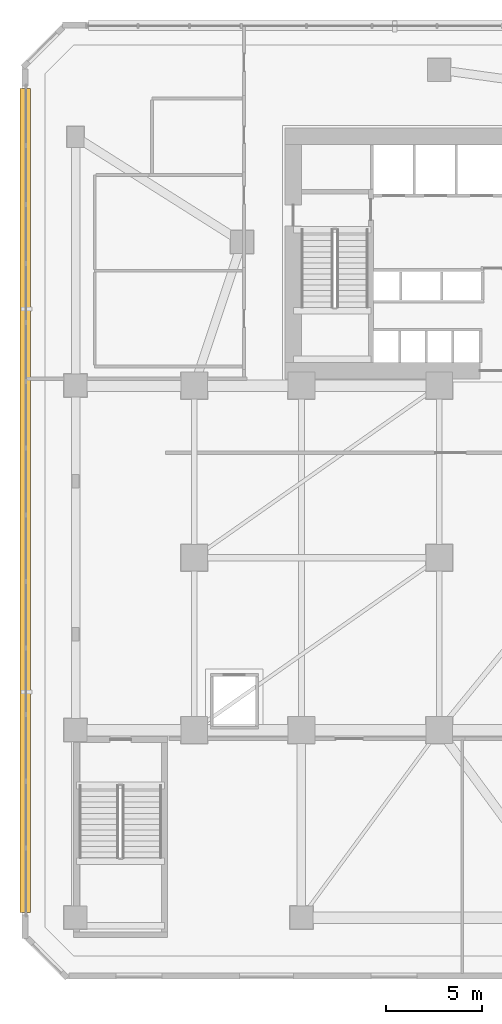
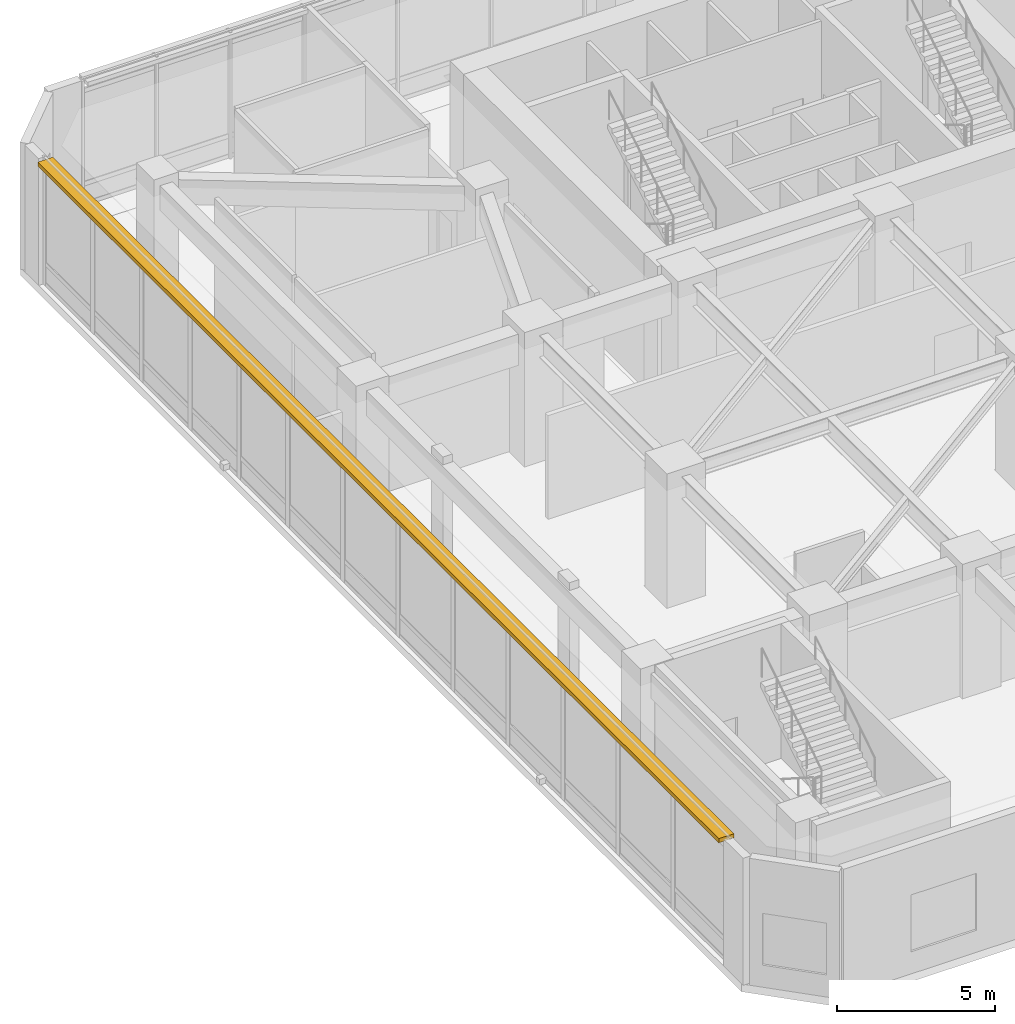
# One storey, part 14 of 18: 1 shading device.
"""IFC4 building model written with IfcOpenShell, lengths in metres."""

from ifc_helpers import new_model, si_unit, direction, frame, frame_2d, origin, place, context, subcontext, project, spatial, rectangle, extrude, material, type_object, element, save


model = new_model("IFC4")

# Units and contexts
model_context = context("Model", 3, precision=1e-05, world=origin(), true_north=direction((0.0, 1.0)))
body_context = subcontext(model_context, "Body", "Model", "MODEL_VIEW")
ifc_project = project(units=[si_unit("LENGTHUNIT", "METRE"), si_unit("AREAUNIT", "SQUARE_METRE"), si_unit("VOLUMEUNIT", "CUBIC_METRE"), si_unit("PLANEANGLEUNIT", "RADIAN"), si_unit("MASSUNIT", "GRAM", prefix="KILO")], contexts=[model_context])

# Site, building, storey
site_placement = place(None, origin())
site = spatial("IfcSite", under=ifc_project, at=site_placement, CompositionType="ELEMENT")
building_placement = place(site_placement, origin())
building = spatial("IfcBuilding", under=site, at=building_placement, Name="Calvemar Wedge Station Tower", CompositionType="ELEMENT")
storey_placement = place(building_placement, frame((0.0, 0.0, 11.199951171875)))
storey = spatial("IfcBuildingStorey", under=building, at=storey_placement, Name="L03", CompositionType="ELEMENT", Elevation=11.199951171875)

# Shading device
ifc_material = material(Name="Precast concrete C45", Category="concrete")
shading_device_type = type_object("IfcShadingDeviceType", Name="SHD-EYEBROW-1", PredefinedType="SHUTTER", material=ifc_material)
shading_device_placement = place(storey_placement, frame((2.169921875, 48.537841796875, 4.719970703125), z_axis=(0.0, 0.0, 1.0), x_axis=(0.0, -1.0, 0.0)))
element("IfcShadingDevice", 1, at=shading_device_placement, inside=storey, type_object=shading_device_type, Name="Storey L03 Bronze GFRC Solar Eyebrow 6", PredefinedType="SHUTTER", context=body_context, shape_type="SweptSolid", body=[
    extrude(rectangle(XDim=43.07568359375, YDim=0.550048828125, at=frame_2d((21.537841796875, 0.0))), origin(), (0.0, 0.0, 1.0), 0.16015625),
])

save(model, "model.ifc")
